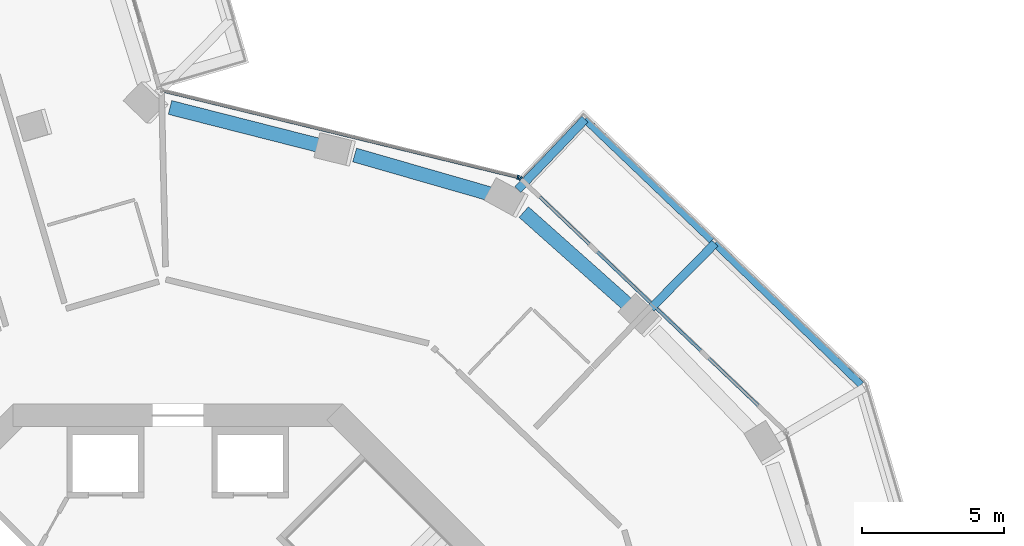
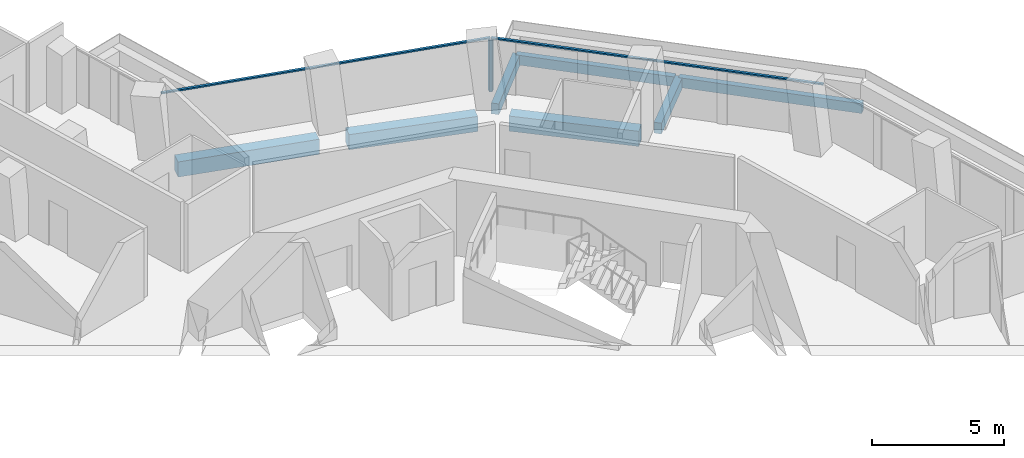
# One storey, part 10 of 25: 7 beams, 4 members, 2 elements without a shape of their own.
"""IFC4 building model written with IfcOpenShell, lengths in metres."""

from ifc_helpers import new_model, si_unit, direction, frame, origin, origin_2d, place, context, subcontext, project, spatial, rectangle, extrude, material, layer, layer_set, material_profile, profile_set, type_object, element, aggregate, save


model = new_model("IFC4")

# Units and contexts
model_context = context("Model", 3, precision=1e-05, world=origin(), true_north=direction((0.0, 1.0)))
body_context = subcontext(model_context, "Body", "Model", "MODEL_VIEW")
ifc_project = project(units=[si_unit("LENGTHUNIT", "METRE"), si_unit("AREAUNIT", "SQUARE_METRE"), si_unit("VOLUMEUNIT", "CUBIC_METRE"), si_unit("PLANEANGLEUNIT", "RADIAN"), si_unit("MASSUNIT", "GRAM", prefix="KILO")], contexts=[model_context])

# Site, building, storey
site_placement = place(None, origin())
site = spatial("IfcSite", under=ifc_project, at=site_placement, CompositionType="ELEMENT")
building_placement = place(site_placement, origin())
building = spatial("IfcBuilding", under=site, at=building_placement, Name="Verdalira Terraces Hotel", CompositionType="ELEMENT")
storey_placement = place(building_placement, frame((0.0, 0.0, 100.0)))
storey = spatial("IfcBuildingStorey", under=building, at=storey_placement, Name="L23", CompositionType="ELEMENT", Elevation=100.0)

# Beams
ifc_material_1 = material(Name="Concrete C40", Category="concrete")
ifc_material_profile_1 = material_profile(ifc_material_1, rectangle(XDim=0.300049, YDim=0.5, at=origin_2d()), Name="RC 300X500")
ifc_profile_set_1 = profile_set([ifc_material_profile_1], Name="Concrete C40")
beam_type_1 = type_object("IfcBeamType", Name="Balcony cantilever beam RC 300X500 C40", PredefinedType="BEAM", material=ifc_profile_set_1)
beam_1_placement = place(storey_placement, frame((16.645996, 17.369385, -0.560059), z_axis=(0.702630708, 0.711554698, 0.0), x_axis=(-0.711554698, 0.702630708, 0.0)))
element("IfcBeam", 1, at=beam_1_placement, inside=storey, type_object=beam_type_1, Name="Balcony cantilever beam R39-4", PredefinedType="BEAM", context=body_context, shape_type="SweptSolid", body=[
    extrude(rectangle(XDim=0.300049, YDim=0.5, at=origin_2d()), origin(), (0.0, 0.0, 1.0), 3.200928),
])
beam_2_placement = place(storey_placement, frame((11.962158, 21.54248, -0.560059), z_axis=(0.690630355, 0.723207932, 0.0), x_axis=(-0.723207932, 0.690630355, 0.0)))
element("IfcBeam", 2, at=beam_2_placement, inside=storey, type_object=beam_type_1, Name="Balcony cantilever beam R39-5", PredefinedType="BEAM", context=body_context, shape_type="SweptSolid", body=[
    extrude(rectangle(XDim=0.300049, YDim=0.5, at=origin_2d()), origin(), (0.0, 0.0, 1.0), 3.417236),
])
ifc_material_2 = material(Name="Concrete C40", Category="concrete")
ifc_material_profile_2 = material_profile(ifc_material_2, rectangle(XDim=0.25, YDim=0.449951, at=origin_2d()), Name="RC 250X450")
ifc_profile_set_2 = profile_set([ifc_material_profile_2], Name="Concrete C40")
beam_type_2 = type_object("IfcBeamType", Name="Balcony edge beam RC 250X450 C40", PredefinedType="BEAM", material=ifc_profile_set_2)
beam_3_placement = place(storey_placement, frame((24.031006, 14.678223, -0.534912), z_axis=(-0.718711179, 0.695308738, 0.0), x_axis=(-0.695308738, -0.718711179, 0.0)))
element("IfcBeam", 3, at=beam_3_placement, inside=storey, type_object=beam_type_2, Name="Balcony edge beam R39-3", PredefinedType="BEAM", context=body_context, shape_type="SweptSolid", body=[
    extrude(rectangle(XDim=0.25, YDim=0.449951, at=origin_2d()), origin(), (0.0, 0.0, 1.0), 7.145996),
])
beam_4_placement = place(storey_placement, frame((18.786621, 19.750488, -0.534912), z_axis=(-0.723193908, 0.69064504, 0.0), x_axis=(-0.69064504, -0.723193908, 0.0)))
element("IfcBeam", 4, at=beam_4_placement, inside=storey, type_object=beam_type_2, Name="Balcony edge beam R39-4", PredefinedType="BEAM", context=body_context, shape_type="SweptSolid", body=[
    extrude(rectangle(XDim=0.25, YDim=0.449951, at=origin_2d()), origin(), (0.0, 0.0, 1.0), 6.173096),
])

# Curtain wall, member
ifc_material_3 = material(Name="Clear glass", Category="glass")
ifc_layer = layer(ifc_material_3, 0.14990234375)
ifc_layer_set = layer_set([ifc_layer], Name="CW1 curtain wall")
curtain_wall_type = type_object("IfcCurtainWallType", Name="CW1 curtain wall", PredefinedType="NOTDEFINED", material=ifc_layer_set)
curtain_wall_1_placement = place(storey_placement, origin())
curtain_wall_1 = element("IfcCurtainWall", 5, at=curtain_wall_1_placement, inside=storey, type_object=curtain_wall_type, Name="CW1 curtain wall L23 edge 40", PredefinedType="NOTDEFINED")
ifc_material_4 = material(Name="Terracotta frame", Category="masonry")
ifc_material_profile_3 = material_profile(ifc_material_4, rectangle(XDim=0.060059, YDim=0.149902, at=origin_2d()), Name="MU 60x150")
ifc_profile_set_3 = profile_set([ifc_material_profile_3], Name="Terracotta frame")
member_type_1 = type_object("IfcMemberType", Name="CW1 mullion 60x150", PredefinedType="MULLION", material=ifc_profile_set_3)
member_1_placement = place(storey_placement, frame((12.051758, 21.930176, 0.0), z_axis=(0.0, 0.0, 1.0), x_axis=(-0.723208265, 0.690630006, 0.0)))
member_1 = element("IfcMember", 6, at=member_1_placement, type_object=member_type_1, Name="CW1 mullion", PredefinedType="MULLION", context=body_context, shape_type="SweptSolid", body=[
    extrude(rectangle(XDim=0.060059, YDim=0.149902, at=origin_2d()), origin(), (0.0, 0.0, 1.0), 2.425049),
])

curtain_wall_2_placement = place(storey_placement, origin())
curtain_wall_2 = element("IfcCurtainWall", 7, at=curtain_wall_2_placement, inside=storey, type_object=curtain_wall_type, Name="CW1 curtain wall L23 edge 41", PredefinedType="NOTDEFINED")
member_2_placement = place(storey_placement, frame((11.966797, 21.976562, 0.0), z_axis=(0.0, 0.0, 1.0), x_axis=(-0.971631733, 0.236498997, 0.0)))
member_2 = element("IfcMember", 8, at=member_2_placement, type_object=member_type_1, Name="CW1 mullion", PredefinedType="MULLION", context=body_context, shape_type="SweptSolid", body=[
    extrude(rectangle(XDim=0.060059, YDim=0.149902, at=origin_2d()), origin(), (0.0, 0.0, 1.0), 2.425049),
])

# Member
ifc_material_5 = material(Name="Terracotta frame", Category="masonry")
ifc_material_profile_4 = material_profile(ifc_material_5, rectangle(XDim=0.110107, YDim=0.064941, at=origin_2d()), Name="TR 65x110")
ifc_profile_set_4 = profile_set([ifc_material_profile_4], Name="Terracotta frame")
member_type_2 = type_object("IfcMemberType", Name="CW1 transom 65x110", PredefinedType="USERDEFINED", material=ifc_profile_set_4)
member_3_placement = place(storey_placement, frame((21.373535, 13.02832, 2.45752), z_axis=(-0.723208376, 0.69062989, 0.0), x_axis=(-0.69062989, -0.723208376, 0.0)))
member_3 = element("IfcMember", 9, at=member_3_placement, type_object=member_type_2, Name="CW1 transom", ObjectType="TRANSOM", PredefinedType="USERDEFINED", context=body_context, shape_type="SweptSolid", body=[
    extrude(rectangle(XDim=0.110107, YDim=0.064941, at=origin_2d()), origin(), (0.0, 0.0, 1.0), 12.919434),
])

aggregate(curtain_wall_1, [member_1, member_3])

member_4_placement = place(storey_placement, frame((11.99585, 21.969482, 2.45752), z_axis=(-0.971631929, 0.236498192, 0.0), x_axis=(-0.236498192, -0.971631929, 0.0)))
member_4 = element("IfcMember", 10, at=member_4_placement, type_object=member_type_2, Name="CW1 transom", ObjectType="TRANSOM", PredefinedType="USERDEFINED", context=body_context, shape_type="SweptSolid", body=[
    extrude(rectangle(XDim=0.110107, YDim=0.064941, at=origin_2d()), origin(), (0.0, 0.0, 1.0), 12.959717),
])

aggregate(curtain_wall_2, [member_2, member_4])

# Beams
ifc_material_6 = material(Name="Concrete C70", Category="concrete")
ifc_material_profile_5 = material_profile(ifc_material_6, rectangle(XDim=0.5, YDim=0.699951, at=origin_2d()), Name="RC 500X700")
ifc_profile_set_5 = profile_set([ifc_material_profile_5], Name="Concrete C70")
beam_type_3 = type_object("IfcBeamType", Name="Spandrel beam RC 500X700 C70", PredefinedType="SPANDREL", material=ifc_profile_set_5)
beam_5_placement = place(storey_placement, frame((15.911621, 17.418945, -0.659912), z_axis=(-0.746998006, 0.664826277, 0.0), x_axis=(-0.664826277, -0.746998006, 0.0)))
element("IfcBeam", 11, at=beam_5_placement, inside=storey, type_object=beam_type_3, Name="Spandrel beam B27", PredefinedType="SPANDREL", context=body_context, shape_type="SweptSolid", body=[
    extrude(rectangle(XDim=0.5, YDim=0.699951, at=origin_2d()), origin(), (0.0, 0.0, 1.0), 5.012207),
])
beam_6_placement = place(storey_placement, frame((11.038574, 21.371094, -0.659912), z_axis=(-0.960989444, 0.276585048, 0.0), x_axis=(-0.276585048, -0.960989444, 0.0)))
element("IfcBeam", 12, at=beam_6_placement, inside=storey, type_object=beam_type_3, Name="Spandrel beam B28", PredefinedType="SPANDREL", context=body_context, shape_type="SweptSolid", body=[
    extrude(rectangle(XDim=0.5, YDim=0.699951, at=origin_2d()), origin(), (0.0, 0.0, 1.0), 5.015381),
])
beam_7_placement = place(storey_placement, frame((5.095703, 23.062988, -0.659912), z_axis=(-0.969105594, 0.246646201, 0.0), x_axis=(-0.246646201, -0.969105594, 0.0)))
element("IfcBeam", 13, at=beam_7_placement, inside=storey, type_object=beam_type_3, Name="Spandrel beam B29", PredefinedType="SPANDREL", context=body_context, shape_type="SweptSolid", body=[
    extrude(rectangle(XDim=0.5, YDim=0.699951, at=origin_2d()), origin(), (0.0, 0.0, 1.0), 5.545166),
])

save(model, "model.ifc")
